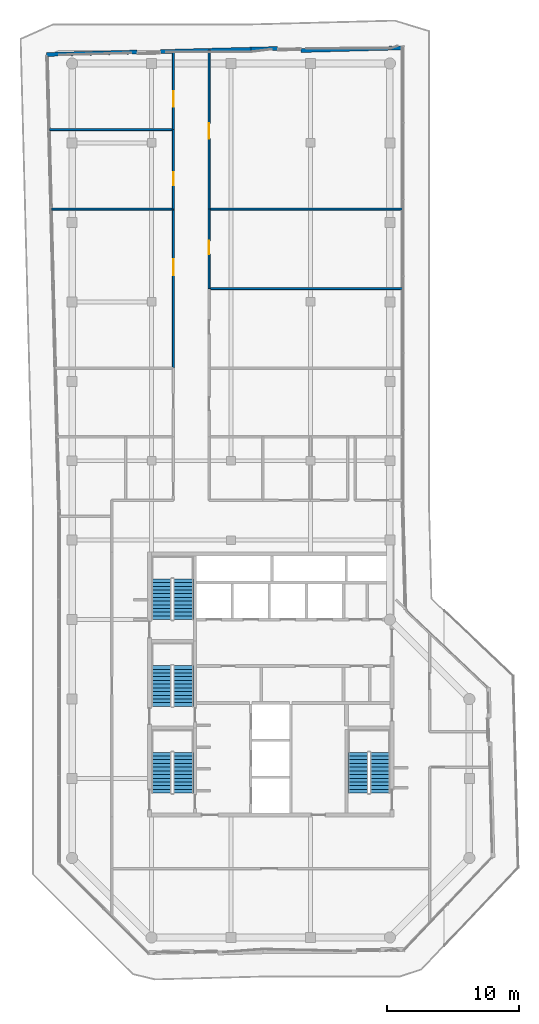
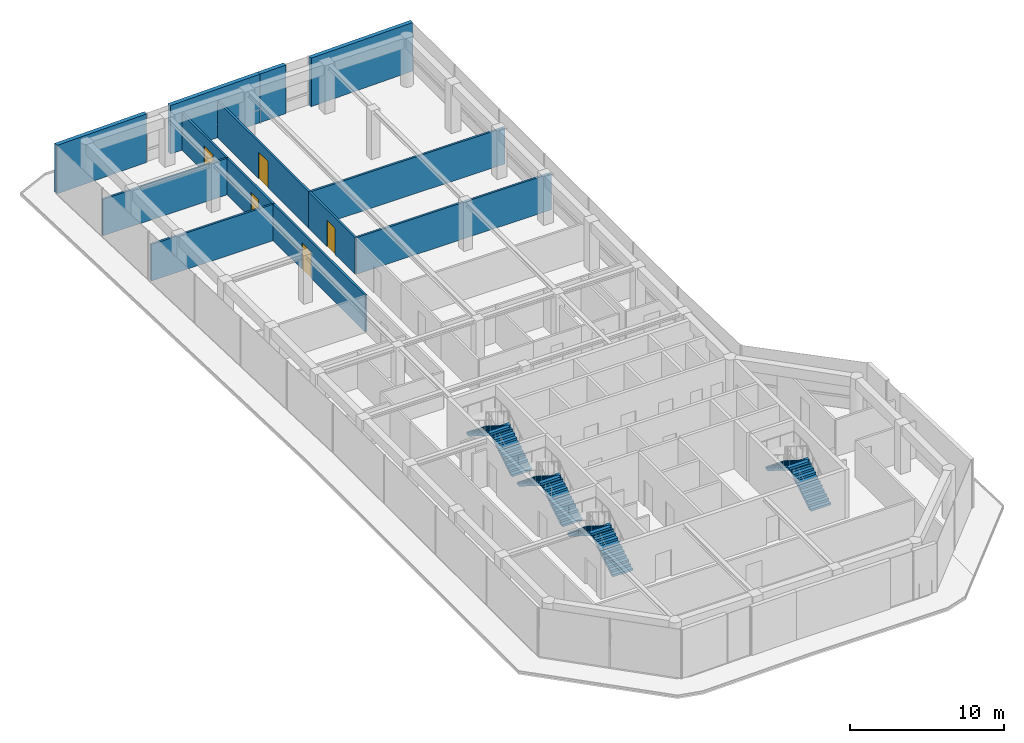
# One storey, part 18 of 20: 13 walls, 8 stair flights, 5 doors, 5 openings, 4 elements without a shape of their own.
"""IFC4 building model written with IfcOpenShell, lengths in metres."""

from ifc_helpers import new_model, si_unit, direction, frame, frame_2d, origin, place, context, subcontext, project, spatial, polyline, rectangle, outline, extrude, material, layer, layer_set, type_object, element, fill, aggregate, save


model = new_model("IFC4")

# Units and contexts
model_context = context("Model", 3, precision=1e-05, world=origin(), true_north=direction((0.0, 1.0)))
body_context = subcontext(model_context, "Body", "Model", "MODEL_VIEW")
ifc_project = project(units=[si_unit("LENGTHUNIT", "METRE"), si_unit("AREAUNIT", "SQUARE_METRE"), si_unit("VOLUMEUNIT", "CUBIC_METRE"), si_unit("PLANEANGLEUNIT", "RADIAN"), si_unit("MASSUNIT", "GRAM", prefix="KILO")], contexts=[model_context])

# Site, building, storey
site_placement = place(None, origin())
site = spatial("IfcSite", under=ifc_project, at=site_placement, CompositionType="ELEMENT")
building_placement = place(site_placement, origin())
building = spatial("IfcBuilding", under=site, at=building_placement, Name="Welwitschia Terrace Campus", CompositionType="ELEMENT")
storey_placement = place(building_placement, frame((0.0, 0.0, 293.60009765625)))
storey = spatial("IfcBuildingStorey", under=building, at=storey_placement, Name="L65", CompositionType="ELEMENT", Elevation=293.60009765625)

# Walls
ifc_material_1 = material(Name="Gypsum board on steel studs", Category="steel")
ifc_layer_1 = layer(ifc_material_1, 0.14990234375)
ifc_layer_set_1 = layer_set([ifc_layer_1], Name="Gypsum board on steel studs")
wall_type_1 = type_object("IfcWallType", Name="Corridor partition 150 EI 30", PredefinedType="PARTITIONING", material=ifc_layer_set_1)
wall_1_placement = place(storey_placement, frame((-1.71630859375, 57.0, 0.0), z_axis=(0.0, 0.0, 1.0), x_axis=(1.0, 0.0, 0.0)))
element("IfcWall", 1, at=wall_1_placement, inside=storey, type_object=wall_type_1, Name="Partition", PredefinedType="PARTITIONING", context=body_context, shape_type="SweptSolid", body=[
    extrude(rectangle(XDim=9.3662109375, YDim=0.14990234375, at=frame_2d((4.68310546875, 0.0))), origin(), (0.0, 0.0, 1.0), 2.89990234375),
])
wall_2_placement = place(storey_placement, frame((-1.56591796875, 51.0, 0.0), z_axis=(0.0, 0.0, 1.0), x_axis=(1.0, 0.0, 0.0)))
element("IfcWall", 2, at=wall_2_placement, inside=storey, type_object=wall_type_1, Name="Partition", PredefinedType="PARTITIONING", context=body_context, shape_type="SweptSolid", body=[
    extrude(rectangle(XDim=9.2158203125, YDim=0.14990234375, at=frame_2d((4.60791015625, 0.0))), origin(), (0.0, 0.0, 1.0), 2.89990234375),
])

# Wall, opening, door
wall_3_placement = place(storey_placement, frame((7.64990234375, 39.0, 0.0), z_axis=(0.0, 0.0, 1.0), x_axis=(0.0, 1.0, 0.0)))
wall_3 = element("IfcWall", 3, at=wall_3_placement, inside=storey, type_object=wall_type_1, Name="Partition", PredefinedType="PARTITIONING", context=body_context, shape_type="SweptSolid", body=[
    extrude(rectangle(XDim=12.0, YDim=0.14990234375, at=frame_2d((6.0, 0.0))), origin(), (0.0, 0.0, 1.0), 2.89990234375),
])
opening_1_placement = place(wall_3_placement, frame((7.0, 0.0, 0.0)))
opening_1 = element("IfcOpeningElement", 4, at=opening_1_placement, cuts=wall_3, Name="Opening DI12", PredefinedType="OPENING", context=body_context, shape_type="SweptSolid", body=[
    extrude(rectangle(XDim=1.199951171875, YDim=2.10009765625, at=frame_2d((0.60009765625, 1.050048828125))), frame((0.0, 0.0849609375, 0.0), z_axis=(0.0, -1.0, 0.0), x_axis=(1.0, 0.0, 0.0)), (0.0, 0.0, 1.0), 0.169921875),
])
ifc_material_2 = material(Name="Timber veneered door", Category="wood")
door_type_1 = type_object("IfcDoorType", Name="Interior door DI12", OperationType="NOTDEFINED", PredefinedType="DOOR", material=ifc_material_2)
door_1_placement = place(opening_1_placement, origin())
door_1 = element("IfcDoor", 5, at=door_1_placement, inside=storey, type_object=door_type_1, Name="Door L65 1155", OperationType="SINGLE_SWING_RIGHT", OverallHeight=2.10009765625, OverallWidth=1.199951171875, PredefinedType="DOOR", context=body_context, shape_type="SweptSolid", body=[
    extrude(rectangle(XDim=1.199951171875, YDim=2.10009765625, at=frame_2d((0.60009765625, 1.050048828125))), frame((0.0, 0.02490234375, 0.0), z_axis=(0.0, -1.0, 0.0), x_axis=(1.0, 0.0, 0.0)), (0.0, 0.0, 1.0), 0.050048828125),
])
fill(opening_1, door_1)

wall_4_placement = place(storey_placement, frame((7.64990234375, 51.0, 0.0), z_axis=(0.0, 0.0, 1.0), x_axis=(0.0, 1.0, 0.0)))
wall_4 = element("IfcWall", 6, at=wall_4_placement, inside=storey, type_object=wall_type_1, Name="Partition", PredefinedType="PARTITIONING", context=body_context, shape_type="SweptSolid", body=[
    extrude(rectangle(XDim=6.0, YDim=0.14990234375, at=frame_2d((3.0, 0.0))), origin(), (0.0, 0.0, 1.0), 2.89990234375),
])
opening_2_placement = place(wall_4_placement, frame((1.800048828125, 0.0, 0.0)))
opening_2 = element("IfcOpeningElement", 7, at=opening_2_placement, cuts=wall_4, Name="Opening DI10", PredefinedType="OPENING", context=body_context, shape_type="SweptSolid", body=[
    extrude(rectangle(XDim=1.0, YDim=2.10009765625, at=frame_2d((0.5, 1.050048828125))), frame((0.0, 0.0849609375, 0.0), z_axis=(0.0, -1.0, 0.0), x_axis=(1.0, 0.0, 0.0)), (0.0, 0.0, 1.0), 0.169921875),
])
ifc_material_3 = material(Name="Timber veneered door", Category="wood")
door_type_2 = type_object("IfcDoorType", Name="Interior door DI10", OperationType="NOTDEFINED", PredefinedType="DOOR", material=ifc_material_3)
door_2_placement = place(opening_2_placement, origin())
door_2 = element("IfcDoor", 8, at=door_2_placement, inside=storey, type_object=door_type_2, Name="Door L65 1156", OperationType="SINGLE_SWING_LEFT", OverallHeight=2.10009765625, OverallWidth=1.0, PredefinedType="DOOR", context=body_context, shape_type="SweptSolid", body=[
    extrude(rectangle(XDim=1.0, YDim=2.10009765625, at=frame_2d((0.5, 1.050048828125))), frame((0.0, 0.02490234375, 0.0), z_axis=(0.0, -1.0, 0.0), x_axis=(1.0, 0.0, 0.0)), (0.0, 0.0, 1.0), 0.050048828125),
])
fill(opening_2, door_2)

wall_5_placement = place(storey_placement, frame((7.64990234375, 57.0, 0.0), z_axis=(0.0, 0.0, 1.0), x_axis=(0.0, 1.0, 0.0)))
wall_5 = element("IfcWall", 9, at=wall_5_placement, inside=storey, type_object=wall_type_1, Name="Partition", PredefinedType="PARTITIONING", context=body_context, shape_type="SweptSolid", body=[
    extrude(rectangle(XDim=5.9326171875, YDim=0.14990234375, at=frame_2d((2.96630859375, 0.0))), origin(), (0.0, 0.0, 1.0), 2.89990234375),
])
opening_3_placement = place(wall_5_placement, frame((1.719970703125, 0.0, 0.0)))
opening_3 = element("IfcOpeningElement", 10, at=opening_3_placement, cuts=wall_5, Name="Opening DI12", PredefinedType="OPENING", context=body_context, shape_type="SweptSolid", body=[
    extrude(rectangle(XDim=1.199951171875, YDim=2.10009765625, at=frame_2d((0.60009765625, 1.050048828125))), frame((0.0, 0.0849609375, 0.0), z_axis=(0.0, -1.0, 0.0), x_axis=(1.0, 0.0, 0.0)), (0.0, 0.0, 1.0), 0.169921875),
])
door_3_placement = place(opening_3_placement, origin())
door_3 = element("IfcDoor", 11, at=door_3_placement, inside=storey, type_object=door_type_1, Name="Door L65 1157", OperationType="SINGLE_SWING_RIGHT", OverallHeight=2.10009765625, OverallWidth=1.199951171875, PredefinedType="DOOR", context=body_context, shape_type="SweptSolid", body=[
    extrude(rectangle(XDim=1.199951171875, YDim=2.10009765625, at=frame_2d((0.60009765625, 1.050048828125))), frame((0.0, 0.02490234375, 0.0), z_axis=(0.0, -1.0, 0.0), x_axis=(1.0, 0.0, 0.0)), (0.0, 0.0, 1.0), 0.050048828125),
])
fill(opening_3, door_3)

# Wall
wall_6_placement = place(storey_placement, frame((10.35009765625, 45.0, 0.0), z_axis=(0.0, 0.0, 1.0), x_axis=(1.0, 0.0, 0.0)))
element("IfcWall", 12, at=wall_6_placement, inside=storey, type_object=wall_type_1, Name="Partition", PredefinedType="PARTITIONING", context=body_context, shape_type="SweptSolid", body=[
    extrude(rectangle(XDim=14.6298828125, YDim=0.14990234375, at=frame_2d((7.31494140625, 0.0))), origin(), (0.0, 0.0, 1.0), 2.89990234375),
])

# Wall, opening, door
wall_7_placement = place(storey_placement, frame((10.35009765625, 51.0, 0.0), z_axis=(0.0, 0.0, 1.0), x_axis=(0.0, -1.0, 0.0)))
wall_7 = element("IfcWall", 13, at=wall_7_placement, inside=storey, type_object=wall_type_1, Name="Partition", PredefinedType="PARTITIONING", context=body_context, shape_type="SweptSolid", body=[
    extrude(rectangle(XDim=6.0, YDim=0.14990234375, at=frame_2d((3.0, 0.0))), origin(), (0.0, 0.0, 1.0), 2.89990234375),
])
opening_4_placement = place(wall_7_placement, frame((2.39990234375, 0.0, 0.0)))
opening_4 = element("IfcOpeningElement", 14, at=opening_4_placement, cuts=wall_7, Name="Opening DI10", PredefinedType="OPENING", context=body_context, shape_type="SweptSolid", body=[
    extrude(rectangle(XDim=1.0, YDim=2.10009765625, at=frame_2d((0.5, 1.050048828125))), frame((0.0, 0.0849609375, 0.0), z_axis=(0.0, -1.0, 0.0), x_axis=(1.0, 0.0, 0.0)), (0.0, 0.0, 1.0), 0.169921875),
])
door_4_placement = place(opening_4_placement, origin())
door_4 = element("IfcDoor", 15, at=door_4_placement, inside=storey, type_object=door_type_2, Name="Door L65 1160", OperationType="SINGLE_SWING_LEFT", OverallHeight=2.10009765625, OverallWidth=1.0, PredefinedType="DOOR", context=body_context, shape_type="SweptSolid", body=[
    extrude(rectangle(XDim=1.0, YDim=2.10009765625, at=frame_2d((0.5, 1.050048828125))), frame((0.0, 0.02490234375, 0.0), z_axis=(0.0, -1.0, 0.0), x_axis=(1.0, 0.0, 0.0)), (0.0, 0.0, 1.0), 0.050048828125),
])
fill(opening_4, door_4)

# Wall
wall_8_placement = place(storey_placement, frame((10.35009765625, 51.0, 0.0), z_axis=(0.0, 0.0, 1.0), x_axis=(1.0, 0.0, 0.0)))
element("IfcWall", 16, at=wall_8_placement, inside=storey, type_object=wall_type_1, Name="Partition", PredefinedType="PARTITIONING", context=body_context, shape_type="SweptSolid", body=[
    extrude(rectangle(XDim=14.6298828125, YDim=0.14990234375, at=frame_2d((7.31494140625, 0.0))), origin(), (0.0, 0.0, 1.0), 2.89990234375),
])

# Wall, opening, door
wall_9_placement = place(storey_placement, frame((10.35009765625, 63.0048828125, 0.0), z_axis=(0.0, 0.0, 1.0), x_axis=(0.0, -1.0, 0.0)))
wall_9 = element("IfcWall", 17, at=wall_9_placement, inside=storey, type_object=wall_type_1, Name="Partition", PredefinedType="PARTITIONING", context=body_context, shape_type="SweptSolid", body=[
    extrude(rectangle(XDim=12.0048828125, YDim=0.14990234375, at=frame_2d((6.00244140625, 0.0))), origin(), (0.0, 0.0, 1.0), 2.89990234375),
])
opening_5_placement = place(wall_9_placement, frame((5.5048828125, 0.0, 0.0)))
opening_5 = element("IfcOpeningElement", 18, at=opening_5_placement, cuts=wall_9, Name="Opening DI12", PredefinedType="OPENING", context=body_context, shape_type="SweptSolid", body=[
    extrude(rectangle(XDim=1.199951171875, YDim=2.10009765625, at=frame_2d((0.60009765625, 1.050048828125))), frame((0.0, 0.0849609375, 0.0), z_axis=(0.0, -1.0, 0.0), x_axis=(1.0, 0.0, 0.0)), (0.0, 0.0, 1.0), 0.169921875),
])
door_5_placement = place(opening_5_placement, origin())
door_5 = element("IfcDoor", 19, at=door_5_placement, inside=storey, type_object=door_type_1, Name="Door L65 1161", OperationType="SINGLE_SWING_RIGHT", OverallHeight=2.10009765625, OverallWidth=1.199951171875, PredefinedType="DOOR", context=body_context, shape_type="SweptSolid", body=[
    extrude(rectangle(XDim=1.199951171875, YDim=2.10009765625, at=frame_2d((0.60009765625, 1.050048828125))), frame((0.0, 0.02490234375, 0.0), z_axis=(0.0, -1.0, 0.0), x_axis=(1.0, 0.0, 0.0)), (0.0, 0.0, 1.0), 0.050048828125),
])
fill(opening_5, door_5)

# Walls
ifc_material_4 = material(Name="Concrete C40/50", Category="concrete")
ifc_layer_2 = layer(ifc_material_4, 0.300048828125)
ifc_layer_set_2 = layer_set([ifc_layer_2], Name="Concrete C40/50")
wall_type_2 = type_object("IfcWallType", Name="Mass wall 300", PredefinedType="SOLIDWALL", material=ifc_layer_set_2)
wall_10_placement = place(storey_placement, frame((25.033935546875, 63.181396484375, 0.0), z_axis=(0.0, 0.0, 1.0), x_axis=(-0.999657687485, -0.026163100961, 0.0)))
element("IfcWall", 20, at=wall_10_placement, inside=storey, type_object=wall_type_2, Name="Mass wall L65.10.0", PredefinedType="SOLIDWALL", context=body_context, shape_type="SweptSolid", body=[
    extrude(rectangle(XDim=7.73583984375, YDim=0.300048828125, at=frame_2d((3.867919921875, 0.0))), origin(), (0.0, 0.0, 1.0), 3.849853515625),
])
wall_11_placement = place(storey_placement, frame((15.49609375, 63.1318359375, 0.0), z_axis=(0.0, 0.0, 1.0), x_axis=(-0.999657751572, -0.026160652183, 0.0)))
element("IfcWall", 21, at=wall_11_placement, inside=storey, type_object=wall_type_2, Name="Mass wall L65.10.1", PredefinedType="SOLIDWALL", context=body_context, shape_type="SweptSolid", body=[
    extrude(rectangle(XDim=1.978515625, YDim=0.300048828125, at=frame_2d((0.9892578125, 0.0))), origin(), (0.0, 0.0, 1.0), 3.849853515625),
])
wall_12_placement = place(storey_placement, frame((13.518310546875, 63.080078125, 0.0), z_axis=(0.0, 0.0, 1.0), x_axis=(-0.999640403912, -0.026815347578, 0.0)))
element("IfcWall", 22, at=wall_12_placement, inside=storey, type_object=wall_type_2, Name="Mass wall L65.11.0", PredefinedType="SOLIDWALL", context=body_context, shape_type="SweptSolid", body=[
    extrude(rectangle(XDim=6.828369140625, YDim=0.300048828125, at=frame_2d((3.4140625, 0.0))), origin(), (0.0, 0.0, 1.0), 3.849853515625),
])
wall_13_placement = place(storey_placement, frame((4.892578125, 62.86474609375, 0.0), z_axis=(0.0, 0.0, 1.0), x_axis=(-0.99963941909, -0.026852035329, 0.0)))
element("IfcWall", 23, at=wall_13_placement, inside=storey, type_object=wall_type_2, Name="Mass wall L65.11.1", PredefinedType="SOLIDWALL", context=body_context, shape_type="SweptSolid", body=[
    extrude(rectangle(XDim=6.828125, YDim=0.300048828125, at=frame_2d((3.4140625, 0.0))), origin(), (0.0, 0.0, 1.0), 3.849853515625),
])

# Stair, stair flights
ifc_material_5 = material(Name="Concrete C40/50", Category="concrete")
stair_type = type_object("IfcStairType", Name="Stair 24R 175 W1500", PredefinedType="HALF_TURN_STAIR", material=ifc_material_5)
stair_1_placement = place(storey_placement, origin())
stair_1 = element("IfcStair", 24, at=stair_1_placement, inside=storey, type_object=stair_type, Name="L65 Exit stair S1", PredefinedType="HALF_TURN_STAIR")
ifc_material_6 = material(Name="Concrete C40/50", Category="concrete")
stair_flight_type = type_object("IfcStairFlightType", Name="Stair flight 24R 175 W1500", PredefinedType="STRAIGHT", material=ifc_material_6)
stair_flight_1_placement = place(storey_placement, frame((8.39990234375, 6.89990234375, 0.0), z_axis=(0.0, 0.0, 1.0), x_axis=(0.0, 1.0, 0.0)))
stair_flight_1 = element("IfcStairFlight", 25, at=stair_flight_1_placement, type_object=stair_flight_type, Name="S1 flight 1", NumberOfRisers=12, NumberOfTreads=11, PredefinedType="STRAIGHT", RiserHeight=0.175, TreadLength=0.28, context=body_context, shape_type="SweptSolid", body=[
    extrude(outline(polyline([(0.0, 0.0), (0.0, 0.175048828125), (0.280029296875, 0.175048828125), (0.280029296875, 0.35009765625), (0.56005859375, 0.35009765625), (0.56005859375, 0.52490234375), (0.840087890625, 0.52490234375), (0.840087890625, 0.699951171875), (1.1201171875, 0.699951171875), (1.1201171875, 0.875), (1.39990234375, 0.875), (1.39990234375, 1.050048828125), (1.679931640625, 1.050048828125), (1.679931640625, 1.22509765625), (1.9599609375, 1.22509765625), (1.9599609375, 1.39990234375), (2.239990234375, 1.39990234375), (2.239990234375, 1.574951171875), (2.52001953125, 1.574951171875), (2.52001953125, 1.75), (2.800048828125, 1.75), (2.800048828125, 1.925048828125), (3.080078125, 1.925048828125), (3.080078125, 2.10009765625), (3.080078125, 1.748291015625), (0.28271484375, 0.0), (0.0, 0.0)])), frame((0.0, 0.75, 0.0), z_axis=(0.0, -1.0, 0.0), x_axis=(1.0, 0.0, 0.0)), (0.0, 0.0, 1.0), 1.5),
])
stair_flight_2_placement = place(storey_placement, frame((6.75, 9.97998046875, 2.099853515625), z_axis=(0.0, 0.0, 1.0), x_axis=(0.0, -1.0, 0.0)))
stair_flight_2 = element("IfcStairFlight", 26, at=stair_flight_2_placement, type_object=stair_flight_type, Name="S1 flight 2", NumberOfRisers=12, NumberOfTreads=11, PredefinedType="STRAIGHT", RiserHeight=0.175, TreadLength=0.28, context=body_context, shape_type="SweptSolid", body=[
    extrude(outline(polyline([(0.0, 0.0), (0.0, 0.175048828125), (0.280029296875, 0.175048828125), (0.280029296875, 0.35009765625), (0.56005859375, 0.35009765625), (0.56005859375, 0.52490234375), (0.840087890625, 0.52490234375), (0.840087890625, 0.699951171875), (1.1201171875, 0.699951171875), (1.1201171875, 0.875), (1.39990234375, 0.875), (1.39990234375, 1.050048828125), (1.679931640625, 1.050048828125), (1.679931640625, 1.22509765625), (1.9599609375, 1.22509765625), (1.9599609375, 1.39990234375), (2.239990234375, 1.39990234375), (2.239990234375, 1.574951171875), (2.52001953125, 1.574951171875), (2.52001953125, 1.75), (2.800048828125, 1.75), (2.800048828125, 1.925048828125), (3.080078125, 1.925048828125), (3.080078125, 2.10009765625), (3.080078125, 1.748291015625), (0.28271484375, 0.0), (0.0, 0.0)])), frame((0.0, 0.75, 0.0), z_axis=(0.0, -1.0, 0.0), x_axis=(1.0, 0.0, 0.0)), (0.0, 0.0, 1.0), 1.5),
])
aggregate(stair_1, [stair_flight_1, stair_flight_2])

stair_2_placement = place(storey_placement, origin())
stair_2 = element("IfcStair", 27, at=stair_2_placement, inside=storey, type_object=stair_type, Name="L65 Exit stair S3", PredefinedType="HALF_TURN_STAIR")
stair_flight_3_placement = place(storey_placement, frame((8.39990234375, 13.449951171875, 0.0), z_axis=(0.0, 0.0, 1.0), x_axis=(0.0, 1.0, 0.0)))
stair_flight_3 = element("IfcStairFlight", 28, at=stair_flight_3_placement, type_object=stair_flight_type, Name="S3 flight 1", NumberOfRisers=12, NumberOfTreads=11, PredefinedType="STRAIGHT", RiserHeight=0.175, TreadLength=0.28, context=body_context, shape_type="SweptSolid", body=[
    extrude(outline(polyline([(0.0, 0.0), (0.0, 0.175048828125), (0.280029296875, 0.175048828125), (0.280029296875, 0.35009765625), (0.56005859375, 0.35009765625), (0.56005859375, 0.52490234375), (0.840087890625, 0.52490234375), (0.840087890625, 0.699951171875), (1.1201171875, 0.699951171875), (1.1201171875, 0.875), (1.39990234375, 0.875), (1.39990234375, 1.050048828125), (1.679931640625, 1.050048828125), (1.679931640625, 1.22509765625), (1.9599609375, 1.22509765625), (1.9599609375, 1.39990234375), (2.239990234375, 1.39990234375), (2.239990234375, 1.574951171875), (2.52001953125, 1.574951171875), (2.52001953125, 1.75), (2.800048828125, 1.75), (2.800048828125, 1.925048828125), (3.080078125, 1.925048828125), (3.080078125, 2.10009765625), (3.080078125, 1.748291015625), (0.28271484375, 0.0), (0.0, 0.0)])), frame((0.0, 0.75, 0.0), z_axis=(0.0, -1.0, 0.0), x_axis=(1.0, 0.0, 0.0)), (0.0, 0.0, 1.0), 1.5),
])
stair_flight_4_placement = place(storey_placement, frame((6.75, 16.530029296875, 2.099853515625), z_axis=(0.0, 0.0, 1.0), x_axis=(0.0, -1.0, 0.0)))
stair_flight_4 = element("IfcStairFlight", 29, at=stair_flight_4_placement, type_object=stair_flight_type, Name="S3 flight 2", NumberOfRisers=12, NumberOfTreads=11, PredefinedType="STRAIGHT", RiserHeight=0.175, TreadLength=0.28, context=body_context, shape_type="SweptSolid", body=[
    extrude(outline(polyline([(0.0, 0.0), (0.0, 0.175048828125), (0.280029296875, 0.175048828125), (0.280029296875, 0.35009765625), (0.56005859375, 0.35009765625), (0.56005859375, 0.52490234375), (0.840087890625, 0.52490234375), (0.840087890625, 0.699951171875), (1.1201171875, 0.699951171875), (1.1201171875, 0.875), (1.39990234375, 0.875), (1.39990234375, 1.050048828125), (1.679931640625, 1.050048828125), (1.679931640625, 1.22509765625), (1.9599609375, 1.22509765625), (1.9599609375, 1.39990234375), (2.239990234375, 1.39990234375), (2.239990234375, 1.574951171875), (2.52001953125, 1.574951171875), (2.52001953125, 1.75), (2.800048828125, 1.75), (2.800048828125, 1.925048828125), (3.080078125, 1.925048828125), (3.080078125, 2.10009765625), (3.080078125, 1.748291015625), (0.28271484375, 0.0), (0.0, 0.0)])), frame((0.0, 0.75, 0.0), z_axis=(0.0, -1.0, 0.0), x_axis=(1.0, 0.0, 0.0)), (0.0, 0.0, 1.0), 1.5),
])
aggregate(stair_2, [stair_flight_3, stair_flight_4])

stair_3_placement = place(storey_placement, origin())
stair_3 = element("IfcStair", 30, at=stair_3_placement, inside=storey, type_object=stair_type, Name="L65 Exit stair S4", PredefinedType="HALF_TURN_STAIR")
stair_flight_5_placement = place(storey_placement, frame((8.39990234375, 20.0, 0.0), z_axis=(0.0, 0.0, 1.0), x_axis=(0.0, 1.0, 0.0)))
stair_flight_5 = element("IfcStairFlight", 31, at=stair_flight_5_placement, type_object=stair_flight_type, Name="S4 flight 1", NumberOfRisers=12, NumberOfTreads=11, PredefinedType="STRAIGHT", RiserHeight=0.175, TreadLength=0.28, context=body_context, shape_type="SweptSolid", body=[
    extrude(outline(polyline([(0.0, 0.0), (0.0, 0.175048828125), (0.280029296875, 0.175048828125), (0.280029296875, 0.35009765625), (0.56005859375, 0.35009765625), (0.56005859375, 0.52490234375), (0.840087890625, 0.52490234375), (0.840087890625, 0.699951171875), (1.1201171875, 0.699951171875), (1.1201171875, 0.875), (1.39990234375, 0.875), (1.39990234375, 1.050048828125), (1.679931640625, 1.050048828125), (1.679931640625, 1.22509765625), (1.9599609375, 1.22509765625), (1.9599609375, 1.39990234375), (2.239990234375, 1.39990234375), (2.239990234375, 1.574951171875), (2.52001953125, 1.574951171875), (2.52001953125, 1.75), (2.800048828125, 1.75), (2.800048828125, 1.925048828125), (3.080078125, 1.925048828125), (3.080078125, 2.10009765625), (3.080078125, 1.748291015625), (0.28271484375, 0.0), (0.0, 0.0)])), frame((0.0, 0.75, 0.0), z_axis=(0.0, -1.0, 0.0), x_axis=(1.0, 0.0, 0.0)), (0.0, 0.0, 1.0), 1.5),
])
stair_flight_6_placement = place(storey_placement, frame((6.75, 23.080078125, 2.099853515625), z_axis=(0.0, 0.0, 1.0), x_axis=(0.0, -1.0, 0.0)))
stair_flight_6 = element("IfcStairFlight", 32, at=stair_flight_6_placement, type_object=stair_flight_type, Name="S4 flight 2", NumberOfRisers=12, NumberOfTreads=11, PredefinedType="STRAIGHT", RiserHeight=0.175, TreadLength=0.28, context=body_context, shape_type="SweptSolid", body=[
    extrude(outline(polyline([(0.0, 0.0), (0.0, 0.175048828125), (0.280029296875, 0.175048828125), (0.280029296875, 0.35009765625), (0.56005859375, 0.35009765625), (0.56005859375, 0.52490234375), (0.840087890625, 0.52490234375), (0.840087890625, 0.699951171875), (1.1201171875, 0.699951171875), (1.1201171875, 0.875), (1.39990234375, 0.875), (1.39990234375, 1.050048828125), (1.679931640625, 1.050048828125), (1.679931640625, 1.22509765625), (1.9599609375, 1.22509765625), (1.9599609375, 1.39990234375), (2.239990234375, 1.39990234375), (2.239990234375, 1.574951171875), (2.52001953125, 1.574951171875), (2.52001953125, 1.75), (2.800048828125, 1.75), (2.800048828125, 1.925048828125), (3.080078125, 1.925048828125), (3.080078125, 2.10009765625), (3.080078125, 1.748291015625), (0.28271484375, 0.0), (0.0, 0.0)])), frame((0.0, 0.75, 0.0), z_axis=(0.0, -1.0, 0.0), x_axis=(1.0, 0.0, 0.0)), (0.0, 0.0, 1.0), 1.5),
])
aggregate(stair_3, [stair_flight_5, stair_flight_6])

stair_4_placement = place(storey_placement, origin())
stair_4 = element("IfcStair", 33, at=stair_4_placement, inside=storey, type_object=stair_type, Name="L65 Exit stair S2", PredefinedType="HALF_TURN_STAIR")
stair_flight_7_placement = place(storey_placement, frame((23.25, 6.89990234375, 0.0), z_axis=(0.0, 0.0, 1.0), x_axis=(0.0, 1.0, 0.0)))
stair_flight_7 = element("IfcStairFlight", 34, at=stair_flight_7_placement, type_object=stair_flight_type, Name="S2 flight 1", NumberOfRisers=12, NumberOfTreads=11, PredefinedType="STRAIGHT", RiserHeight=0.175, TreadLength=0.28, context=body_context, shape_type="SweptSolid", body=[
    extrude(outline(polyline([(0.0, 0.0), (0.0, 0.175048828125), (0.280029296875, 0.175048828125), (0.280029296875, 0.35009765625), (0.56005859375, 0.35009765625), (0.56005859375, 0.52490234375), (0.840087890625, 0.52490234375), (0.840087890625, 0.699951171875), (1.1201171875, 0.699951171875), (1.1201171875, 0.875), (1.39990234375, 0.875), (1.39990234375, 1.050048828125), (1.679931640625, 1.050048828125), (1.679931640625, 1.22509765625), (1.9599609375, 1.22509765625), (1.9599609375, 1.39990234375), (2.239990234375, 1.39990234375), (2.239990234375, 1.574951171875), (2.52001953125, 1.574951171875), (2.52001953125, 1.75), (2.800048828125, 1.75), (2.800048828125, 1.925048828125), (3.080078125, 1.925048828125), (3.080078125, 2.10009765625), (3.080078125, 1.748291015625), (0.28271484375, 0.0), (0.0, 0.0)])), frame((0.0, 0.75, 0.0), z_axis=(0.0, -1.0, 0.0), x_axis=(1.0, 0.0, 0.0)), (0.0, 0.0, 1.0), 1.5),
])
stair_flight_8_placement = place(storey_placement, frame((21.60009765625, 9.97998046875, 2.099853515625), z_axis=(0.0, 0.0, 1.0), x_axis=(0.0, -1.0, 0.0)))
stair_flight_8 = element("IfcStairFlight", 35, at=stair_flight_8_placement, type_object=stair_flight_type, Name="S2 flight 2", NumberOfRisers=12, NumberOfTreads=11, PredefinedType="STRAIGHT", RiserHeight=0.175, TreadLength=0.28, context=body_context, shape_type="SweptSolid", body=[
    extrude(outline(polyline([(0.0, 0.0), (0.0, 0.175048828125), (0.280029296875, 0.175048828125), (0.280029296875, 0.35009765625), (0.56005859375, 0.35009765625), (0.56005859375, 0.52490234375), (0.840087890625, 0.52490234375), (0.840087890625, 0.699951171875), (1.1201171875, 0.699951171875), (1.1201171875, 0.875), (1.39990234375, 0.875), (1.39990234375, 1.050048828125), (1.679931640625, 1.050048828125), (1.679931640625, 1.22509765625), (1.9599609375, 1.22509765625), (1.9599609375, 1.39990234375), (2.239990234375, 1.39990234375), (2.239990234375, 1.574951171875), (2.52001953125, 1.574951171875), (2.52001953125, 1.75), (2.800048828125, 1.75), (2.800048828125, 1.925048828125), (3.080078125, 1.925048828125), (3.080078125, 2.10009765625), (3.080078125, 1.748291015625), (0.28271484375, 0.0), (0.0, 0.0)])), frame((0.0, 0.75, 0.0), z_axis=(0.0, -1.0, 0.0), x_axis=(1.0, 0.0, 0.0)), (0.0, 0.0, 1.0), 1.5),
])
aggregate(stair_4, [stair_flight_7, stair_flight_8])

save(model, "model.ifc")
